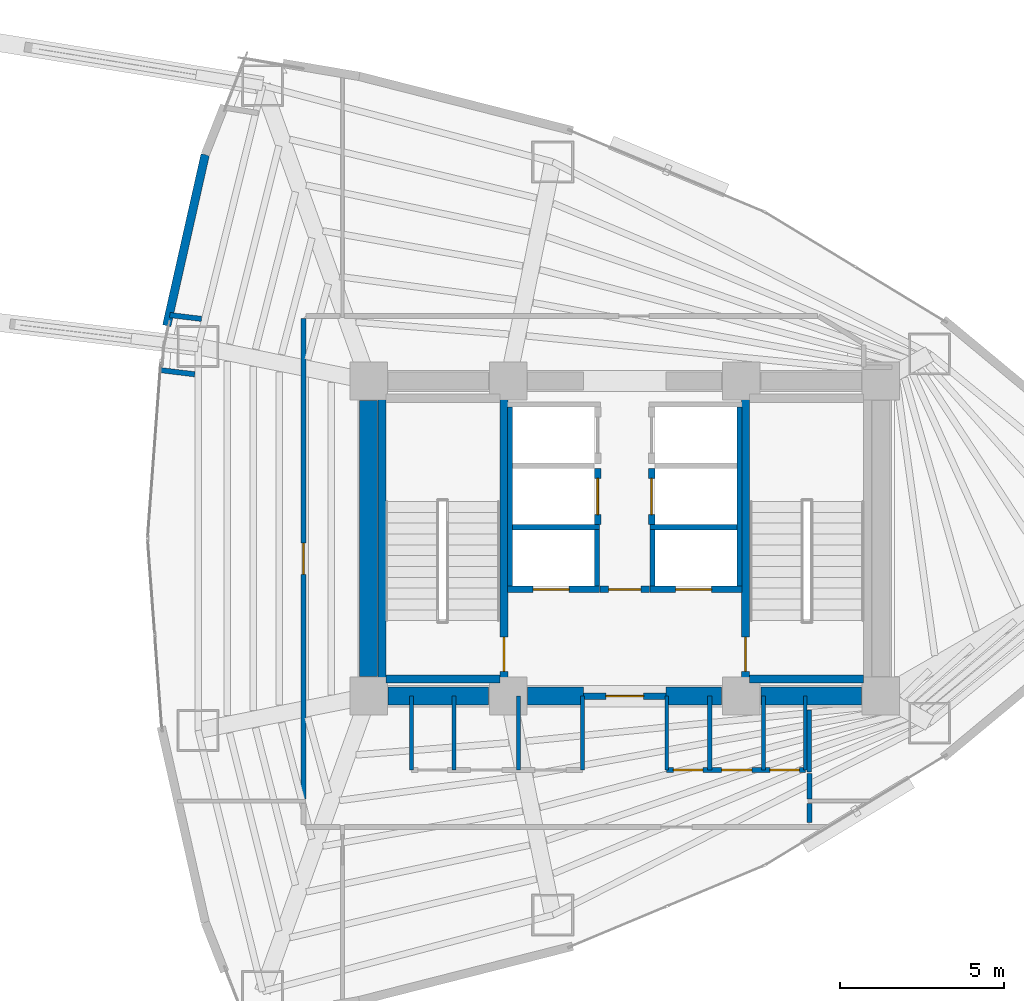
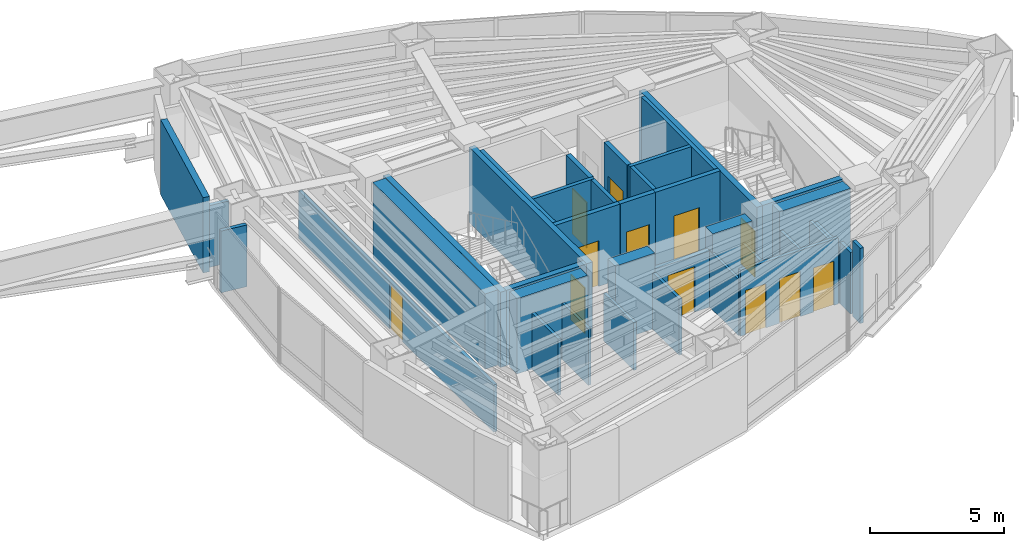
# One storey, part 13 of 17: 38 walls, 12 doors, 12 openings.
"""IFC4 building model written with IfcOpenShell, lengths in metres."""

from ifc_helpers import new_model, si_unit, direction, frame, frame_2d, origin, place, context, subcontext, project, spatial, rectangle, extrude, material, layer, layer_set, type_object, element, fill, save


model = new_model("IFC4")

# Units and contexts
model_context = context("Model", 3, precision=1e-05, world=origin(), true_north=direction((0.0, 1.0)))
body_context = subcontext(model_context, "Body", "Model", "MODEL_VIEW")
ifc_project = project(units=[si_unit("LENGTHUNIT", "METRE"), si_unit("AREAUNIT", "SQUARE_METRE"), si_unit("VOLUMEUNIT", "CUBIC_METRE"), si_unit("PLANEANGLEUNIT", "RADIAN"), si_unit("MASSUNIT", "GRAM", prefix="KILO")], contexts=[model_context])

# Site, building, storey
site_placement = place(None, origin())
site = spatial("IfcSite", under=ifc_project, at=site_placement, CompositionType="ELEMENT")
building_placement = place(site_placement, origin())
building = spatial("IfcBuilding", under=site, at=building_placement, Name="Menara Vayukalpa", CompositionType="ELEMENT")
storey_placement = place(building_placement, frame((0.0, 0.0, 100.260009765625)))
storey = spatial("IfcBuildingStorey", under=building, at=storey_placement, Name="L24", CompositionType="ELEMENT", Elevation=100.260009765625)

# Walls
ifc_material_1 = material(Name="Concrete C60/75", Category="concrete")
ifc_layer_1 = layer(ifc_material_1, 0.550048828125)
ifc_layer_set_1 = layer_set([ifc_layer_1], Name="Concrete C60/75")
wall_type_1 = type_object("IfcWallType", Name="WAL-CW550", PredefinedType="SHEAR", material=ifc_layer_set_1)
wall_1_placement = place(storey_placement, frame((18.39501953125, 17.199951171875, 0.0), z_axis=(0.0, 0.0, 1.0), x_axis=(1.0, 0.0, 0.0)))
element("IfcWall", 1, at=wall_1_placement, inside=storey, type_object=wall_type_1, Name="L24 Buttressed Core Shear Wall CWS1", PredefinedType="SHEAR", context=body_context, shape_type="SweptSolid", body=[
    extrude(rectangle(XDim=3.06005859375, YDim=0.550048828125, at=frame_2d((1.530029296875, 0.0))), origin(), (0.0, 0.0, 1.0), 3.43994140625),
])
wall_2_placement = place(storey_placement, frame((22.64501953125, 17.199951171875, 0.0), z_axis=(0.0, 0.0, 1.0), x_axis=(1.0, 0.0, 0.0)))
element("IfcWall", 2, at=wall_2_placement, inside=storey, type_object=wall_type_1, Name="L24 Buttressed Core Shear Wall CWS2", PredefinedType="SHEAR", context=body_context, shape_type="SweptSolid", body=[
    extrude(rectangle(XDim=1.705078125, YDim=0.550048828125, at=frame_2d((0.8525390625, 0.0))), origin(), (0.0, 0.0, 1.0), 3.43994140625),
])
wall_3_placement = place(storey_placement, frame((26.85009765625, 17.199951171875, 0.0), z_axis=(0.0, 0.0, 1.0), x_axis=(1.0, 0.0, 0.0)))
element("IfcWall", 3, at=wall_3_placement, inside=storey, type_object=wall_type_1, Name="L24 Buttressed Core Shear Wall CWS3", PredefinedType="SHEAR", context=body_context, shape_type="SweptSolid", body=[
    extrude(rectangle(XDim=1.704833984375, YDim=0.550048828125, at=frame_2d((0.8525390625, 0.0))), origin(), (0.0, 0.0, 1.0), 3.43994140625),
])
wall_4_placement = place(storey_placement, frame((29.7451171875, 17.199951171875, 0.0), z_axis=(0.0, 0.0, 1.0), x_axis=(1.0, 0.0, 0.0)))
element("IfcWall", 4, at=wall_4_placement, inside=storey, type_object=wall_type_1, Name="L24 Buttressed Core Shear Wall CWS4", PredefinedType="SHEAR", context=body_context, shape_type="SweptSolid", body=[
    extrude(rectangle(XDim=3.059814453125, YDim=0.550048828125, at=frame_2d((1.52978515625, 0.0))), origin(), (0.0, 0.0, 1.0), 3.43994140625),
])
wall_5_placement = place(storey_placement, frame((17.800048828125, 17.794921875, 0.0), z_axis=(0.0, 0.0, 1.0), x_axis=(0.0, 1.0, 0.0)))
element("IfcWall", 5, at=wall_5_placement, inside=storey, type_object=wall_type_1, Name="L24 Buttressed Core Shear Wall CWW1", PredefinedType="SHEAR", context=body_context, shape_type="SweptSolid", body=[
    extrude(rectangle(XDim=8.41015625, YDim=0.550048828125, at=frame_2d((4.205078125, 0.0))), origin(), (0.0, 0.0, 1.0), 3.43994140625),
])
ifc_material_2 = material(Name="Insulated Precast Concrete C40/50", Category="concrete")
ifc_layer_2 = layer(ifc_material_2, 0.260009765625)
ifc_layer_set_2 = layer_set([ifc_layer_2], Name="Insulated Precast Concrete C40/50")
wall_type_2 = type_object("IfcWallType", Name="WAL-EXT260", PredefinedType="PARTITIONING", material=ifc_layer_set_2)
wall_6_placement = place(storey_placement, frame((11.650390625, 28.4853515625, 0.0), z_axis=(0.0, 0.0, 1.0), x_axis=(0.219560096192, 0.975598977121, 0.0)))
element("IfcWall", 6, at=wall_6_placement, inside=storey, type_object=wall_type_2, Name="L24 Perimeter Terracotta Pier Wall 09", PredefinedType="PARTITIONING", context=body_context, shape_type="SweptSolid", body=[
    extrude(rectangle(XDim=5.336181640625, YDim=0.260009765625, at=frame_2d((2.66796875, 0.0))), origin(), (0.0, 0.0, 1.0), 3.43994140625),
])
ifc_material_3 = material(Name="Lightweight Concrete Blockwork C16/20", Category="masonry")
ifc_layer_3 = layer(ifc_material_3, 0.159912109375)
ifc_layer_set_3 = layer_set([ifc_layer_3], Name="Lightweight Concrete Blockwork C16/20")
wall_type_3 = type_object("IfcWallType", Name="WAL-FR150", PredefinedType="PARTITIONING", material=ifc_layer_set_3)
wall_7_placement = place(storey_placement, frame((22.10498046875, 20.56005859375, 0.0), z_axis=(0.0, 0.0, 1.0), x_axis=(0.0, 1.0, 0.0)))
element("IfcWall", 7, at=wall_7_placement, inside=storey, type_object=wall_type_3, Name="L24 Interior Partition IW-L24-SHW-WW", PredefinedType="PARTITIONING", context=body_context, shape_type="SweptSolid", body=[
    extrude(rectangle(XDim=5.449951171875, YDim=0.159912109375, at=frame_2d((2.72509765625, 0.0))), origin(), (0.0, 0.0, 1.0), 3.43994140625),
])
wall_8_placement = place(storey_placement, frame((24.7548828125, 20.56005859375, 0.0), z_axis=(0.0, 0.0, 1.0), x_axis=(0.0, 1.0, 0.0)))
element("IfcWall", 8, at=wall_8_placement, inside=storey, type_object=wall_type_3, Name="L24 Interior Partition IW-L24-SHW-W1E", PredefinedType="PARTITIONING", context=body_context, shape_type="SweptSolid", body=[
    extrude(rectangle(XDim=1.7099609375, YDim=0.159912109375, at=frame_2d((0.85498046875, 0.0))), origin(), (0.0, 0.0, 1.0), 3.43994140625),
])
wall_9_placement = place(storey_placement, frame((22.179931640625, 22.344970703125, 0.0), z_axis=(0.0, 0.0, 1.0), x_axis=(1.0, 0.0, 0.0)))
element("IfcWall", 9, at=wall_9_placement, inside=storey, type_object=wall_type_3, Name="L24 Interior Partition IW-L24-SHM-W12", PredefinedType="PARTITIONING", context=body_context, shape_type="SweptSolid", body=[
    extrude(rectangle(XDim=2.650146484375, YDim=0.159912109375, at=frame_2d((1.3251953125, 0.0))), origin(), (0.0, 0.0, 1.0), 3.43994140625),
])
wall_10_placement = place(storey_placement, frame((29.094970703125, 20.56005859375, 0.0), z_axis=(0.0, 0.0, 1.0), x_axis=(0.0, 1.0, 0.0)))
element("IfcWall", 10, at=wall_10_placement, inside=storey, type_object=wall_type_3, Name="L24 Interior Partition IW-L24-SHW-EE", PredefinedType="PARTITIONING", context=body_context, shape_type="SweptSolid", body=[
    extrude(rectangle(XDim=5.449951171875, YDim=0.159912109375, at=frame_2d((2.72509765625, 0.0))), origin(), (0.0, 0.0, 1.0), 3.43994140625),
])
wall_11_placement = place(storey_placement, frame((26.445068359375, 20.56005859375, 0.0), z_axis=(0.0, 0.0, 1.0), x_axis=(0.0, 1.0, 0.0)))
element("IfcWall", 11, at=wall_11_placement, inside=storey, type_object=wall_type_3, Name="L24 Interior Partition IW-L24-SHW-E1W", PredefinedType="PARTITIONING", context=body_context, shape_type="SweptSolid", body=[
    extrude(rectangle(XDim=1.7099609375, YDim=0.159912109375, at=frame_2d((0.85498046875, 0.0))), origin(), (0.0, 0.0, 1.0), 3.43994140625),
])
wall_12_placement = place(storey_placement, frame((26.3701171875, 22.344970703125, 0.0), z_axis=(0.0, 0.0, 1.0), x_axis=(1.0, 0.0, 0.0)))
element("IfcWall", 12, at=wall_12_placement, inside=storey, type_object=wall_type_3, Name="L24 Interior Partition IW-L24-SHM-E13", PredefinedType="PARTITIONING", context=body_context, shape_type="SweptSolid", body=[
    extrude(rectangle(XDim=2.64990234375, YDim=0.159912109375, at=frame_2d((1.324951171875, 0.0))), origin(), (0.0, 0.0, 1.0), 3.43994140625),
])
wall_13_placement = place(storey_placement, frame((11.47265625, 27.126953125, 0.0), z_axis=(0.0, 0.0, 1.0), x_axis=(0.992740583346, -0.120275243415, 0.0)))
element("IfcWall", 13, at=wall_13_placement, inside=storey, type_object=wall_type_3, Name="L24 Interior Partition IW-L24-OCHK05-3", PredefinedType="PARTITIONING", context=body_context, shape_type="SweptSolid", body=[
    extrude(rectangle(XDim=1.039306640625, YDim=0.159912109375, at=frame_2d((0.51953125, 0.0))), origin(), (0.0, 0.0, 1.0), 2.820068359375),
])
wall_14_placement = place(storey_placement, frame((12.708984375, 28.689453125, 0.0), z_axis=(0.0, 0.0, 1.0), x_axis=(-0.992745589498, 0.120233915896, 0.0)))
element("IfcWall", 14, at=wall_14_placement, inside=storey, type_object=wall_type_3, Name="L24 Interior Partition IW-L24-OCHK05-68", PredefinedType="PARTITIONING", context=body_context, shape_type="SweptSolid", body=[
    extrude(rectangle(XDim=0.97265625, YDim=0.159912109375, at=frame_2d((0.486328125, 0.0))), origin(), (0.0, 0.0, 1.0), 2.820068359375),
])

# Wall, opening, door
ifc_material_4 = material(Name="Lightweight Concrete Blockwork C16/20", Category="masonry")
ifc_layer_4 = layer(ifc_material_4, 0.199951171875)
ifc_layer_set_4 = layer_set([ifc_layer_4], Name="Lightweight Concrete Blockwork C16/20")
wall_type_4 = type_object("IfcWallType", Name="WAL-FR200", PredefinedType="PARTITIONING", material=ifc_layer_set_4)
wall_15_placement = place(storey_placement, frame((24.35009765625, 17.199951171875, 0.0), z_axis=(0.0, 0.0, 1.0), x_axis=(1.0, 0.0, 0.0)))
wall_15 = element("IfcWall", 15, at=wall_15_placement, inside=storey, type_object=wall_type_4, Name="L24 Interior Partition IW-L24-FFLS", PredefinedType="PARTITIONING", context=body_context, shape_type="SweptSolid", body=[
    extrude(rectangle(XDim=2.5, YDim=0.199951171875, at=frame_2d((1.25, 0.0))), origin(), (0.0, 0.0, 1.0), 2.570068359375),
])
opening_1_placement = place(wall_15_placement, frame((0.679931640625, 0.0, 0.0)))
opening_1 = element("IfcOpeningElement", 16, at=opening_1_placement, cuts=wall_15, Name="Opening ID2", PredefinedType="OPENING", context=body_context, shape_type="SweptSolid", body=[
    extrude(rectangle(XDim=1.14990234375, YDim=2.080078125, at=frame_2d((0.574951171875, 1.0400390625))), frame((0.0, 0.10986328125, 0.0), z_axis=(0.0, -1.0, 0.0), x_axis=(1.0, 0.0, 0.0)), (0.0, 0.0, 1.0), 0.219970703125),
])
ifc_material_5 = material(Name="Fire-Rated Powder-Coated Steel Door", Category="steel")
door_type_1 = type_object("IfcDoorType", Name="DR-FD60W", OperationType="NOTDEFINED", PredefinedType="DOOR", material=ifc_material_5)
door_1_placement = place(opening_1_placement, origin())
door_1 = element("IfcDoor", 17, at=door_1_placement, inside=storey, type_object=door_type_1, Name="L24 Interior Door DR-L24-FFLS", OperationType="SINGLE_SWING_RIGHT", OverallHeight=2.080078125, OverallWidth=1.14990234375, PredefinedType="DOOR", context=body_context, shape_type="SweptSolid", body=[
    extrude(rectangle(XDim=1.14990234375, YDim=2.080078125, at=frame_2d((0.574951171875, 1.0400390625))), frame((0.0, 0.02490234375, 0.0), z_axis=(0.0, -1.0, 0.0), x_axis=(1.0, 0.0, 0.0)), (0.0, 0.0, 1.0), 0.050048828125),
])
fill(opening_1, door_1)

wall_16_placement = place(storey_placement, frame((24.840087890625, 20.449951171875, 0.0), z_axis=(0.0, 0.0, 1.0), x_axis=(1.0, 0.0, 0.0)))
wall_16 = element("IfcWall", 18, at=wall_16_placement, inside=storey, type_object=wall_type_4, Name="L24 Interior Partition IW-L24-FFLN", PredefinedType="PARTITIONING", context=body_context, shape_type="SweptSolid", body=[
    extrude(rectangle(XDim=1.52001953125, YDim=0.199951171875, at=frame_2d((0.760009765625, 0.0))), origin(), (0.0, 0.0, 1.0), 3.43994140625),
])
opening_2_placement = place(wall_16_placement, frame((0.27001953125, 0.0, 0.0)))
opening_2 = element("IfcOpeningElement", 19, at=opening_2_placement, cuts=wall_16, Name="Opening ID3", PredefinedType="OPENING", context=body_context, shape_type="SweptSolid", body=[
    extrude(rectangle(XDim=0.97998046875, YDim=2.06005859375, at=frame_2d((0.489990234375, 1.030029296875))), frame((0.0, 0.10986328125, 0.0), z_axis=(0.0, -1.0, 0.0), x_axis=(1.0, 0.0, 0.0)), (0.0, 0.0, 1.0), 0.219970703125),
])
ifc_material_6 = material(Name="Fire-Rated Powder-Coated Steel Door", Category="steel")
door_type_2 = type_object("IfcDoorType", Name="DR-FD60", OperationType="NOTDEFINED", PredefinedType="DOOR", material=ifc_material_6)
door_2_placement = place(opening_2_placement, origin())
door_2 = element("IfcDoor", 20, at=door_2_placement, inside=storey, type_object=door_type_2, Name="L24 Interior Door DR-L24-FFLN", OperationType="SINGLE_SWING_LEFT", OverallHeight=2.06005859375, OverallWidth=0.97998046875, PredefinedType="DOOR", context=body_context, shape_type="SweptSolid", body=[
    extrude(rectangle(XDim=0.97998046875, YDim=2.06005859375, at=frame_2d((0.489990234375, 1.030029296875))), frame((0.0, 0.02490234375, 0.0), z_axis=(0.0, -1.0, 0.0), x_axis=(1.0, 0.0, 0.0)), (0.0, 0.0, 1.0), 0.050048828125),
])
fill(opening_2, door_2)

wall_17_placement = place(storey_placement, frame((22.030029296875, 20.449951171875, 0.0), z_axis=(0.0, 0.0, 1.0), x_axis=(1.0, 0.0, 0.0)))
wall_17 = element("IfcWall", 21, at=wall_17_placement, inside=storey, type_object=wall_type_4, Name="L24 Interior Partition IW-L24-SH-W1", PredefinedType="PARTITIONING", context=body_context, shape_type="SweptSolid", body=[
    extrude(rectangle(XDim=2.800048828125, YDim=0.199951171875, at=frame_2d((1.39990234375, 0.0))), origin(), (0.0, 0.0, 1.0), 3.43994140625),
])
opening_3_placement = place(wall_17_placement, frame((0.780029296875, 0.0, 0.0)))
opening_3 = element("IfcOpeningElement", 22, at=opening_3_placement, cuts=wall_17, Name="Opening LD1", PredefinedType="OPENING", context=body_context, shape_type="SweptSolid", body=[
    extrude(rectangle(XDim=1.10009765625, YDim=2.080078125, at=frame_2d((0.550048828125, 1.0400390625))), frame((0.0, 0.10986328125, 0.0), z_axis=(0.0, -1.0, 0.0), x_axis=(1.0, 0.0, 0.0)), (0.0, 0.0, 1.0), 0.219970703125),
])
ifc_material_7 = material(Name="Brushed Stainless Steel 316 Lift Door", Category="steel")
door_type_3 = type_object("IfcDoorType", Name="DR-LD110", OperationType="NOTDEFINED", PredefinedType="DOOR", material=ifc_material_7)
door_3_placement = place(opening_3_placement, origin())
door_3 = element("IfcDoor", 23, at=door_3_placement, inside=storey, type_object=door_type_3, Name="L24 Interior Door DR-L24-LD-W1", OperationType="DOUBLE_DOOR_SLIDING", OverallHeight=2.080078125, OverallWidth=1.10009765625, PredefinedType="DOOR", context=body_context, shape_type="SweptSolid", body=[
    extrude(rectangle(XDim=1.10009765625, YDim=2.080078125, at=frame_2d((0.550048828125, 1.0400390625))), frame((0.0, 0.02490234375, 0.0), z_axis=(0.0, -1.0, 0.0), x_axis=(1.0, 0.0, 0.0)), (0.0, 0.0, 1.0), 0.050048828125),
])
fill(opening_3, door_3)

wall_18_placement = place(storey_placement, frame((26.3701171875, 20.449951171875, 0.0), z_axis=(0.0, 0.0, 1.0), x_axis=(1.0, 0.0, 0.0)))
wall_18 = element("IfcWall", 24, at=wall_18_placement, inside=storey, type_object=wall_type_4, Name="L24 Interior Partition IW-L24-SH-E1", PredefinedType="PARTITIONING", context=body_context, shape_type="SweptSolid", body=[
    extrude(rectangle(XDim=2.7998046875, YDim=0.199951171875, at=frame_2d((1.39990234375, 0.0))), origin(), (0.0, 0.0, 1.0), 3.43994140625),
])
opening_4_placement = place(wall_18_placement, frame((0.780029296875, 0.0, 0.0)))
opening_4 = element("IfcOpeningElement", 25, at=opening_4_placement, cuts=wall_18, Name="Opening LD1", PredefinedType="OPENING", context=body_context, shape_type="SweptSolid", body=[
    extrude(rectangle(XDim=1.10009765625, YDim=2.080078125, at=frame_2d((0.550048828125, 1.0400390625))), frame((0.0, 0.10986328125, 0.0), z_axis=(0.0, -1.0, 0.0), x_axis=(1.0, 0.0, 0.0)), (0.0, 0.0, 1.0), 0.219970703125),
])
door_4_placement = place(opening_4_placement, origin())
door_4 = element("IfcDoor", 26, at=door_4_placement, inside=storey, type_object=door_type_3, Name="L24 Interior Door DR-L24-LD-E1", OperationType="DOUBLE_DOOR_SLIDING", OverallHeight=2.080078125, OverallWidth=1.10009765625, PredefinedType="DOOR", context=body_context, shape_type="SweptSolid", body=[
    extrude(rectangle(XDim=1.10009765625, YDim=2.080078125, at=frame_2d((0.550048828125, 1.0400390625))), frame((0.0, 0.02490234375, 0.0), z_axis=(0.0, -1.0, 0.0), x_axis=(1.0, 0.0, 0.0)), (0.0, 0.0, 1.0), 0.050048828125),
])
fill(opening_4, door_4)

wall_19_placement = place(storey_placement, frame((24.780029296875, 22.419921875, 0.0), z_axis=(0.0, 0.0, 1.0), x_axis=(0.0, 1.0, 0.0)))
wall_19 = element("IfcWall", 27, at=wall_19_placement, inside=storey, type_object=wall_type_4, Name="L24 Interior Partition IW-L24-SH-W2", PredefinedType="PARTITIONING", context=body_context, shape_type="SweptSolid", body=[
    extrude(rectangle(XDim=1.719970703125, YDim=0.199951171875, at=frame_2d((0.85986328125, 0.0))), origin(), (0.0, 0.0, 1.0), 3.43994140625),
])
opening_5_placement = place(wall_19_placement, frame((0.31005859375, 0.0, 0.0)))
opening_5 = element("IfcOpeningElement", 28, at=opening_5_placement, cuts=wall_19, Name="Opening LD1", PredefinedType="OPENING", context=body_context, shape_type="SweptSolid", body=[
    extrude(rectangle(XDim=1.10009765625, YDim=2.080078125, at=frame_2d((0.550048828125, 1.0400390625))), frame((0.0, 0.10986328125, 0.0), z_axis=(0.0, -1.0, 0.0), x_axis=(1.0, 0.0, 0.0)), (0.0, 0.0, 1.0), 0.219970703125),
])
door_5_placement = place(opening_5_placement, origin())
door_5 = element("IfcDoor", 29, at=door_5_placement, inside=storey, type_object=door_type_3, Name="L24 Interior Door DR-L24-LD-W2", OperationType="DOUBLE_DOOR_SLIDING", OverallHeight=2.080078125, OverallWidth=1.10009765625, PredefinedType="DOOR", context=body_context, shape_type="SweptSolid", body=[
    extrude(rectangle(XDim=1.10009765625, YDim=2.080078125, at=frame_2d((0.550048828125, 1.0400390625))), frame((0.0, 0.02490234375, 0.0), z_axis=(0.0, -1.0, 0.0), x_axis=(1.0, 0.0, 0.0)), (0.0, 0.0, 1.0), 0.050048828125),
])
fill(opening_5, door_5)

wall_20_placement = place(storey_placement, frame((26.419921875, 22.419921875, 0.0), z_axis=(0.0, 0.0, 1.0), x_axis=(0.0, 1.0, 0.0)))
wall_20 = element("IfcWall", 30, at=wall_20_placement, inside=storey, type_object=wall_type_4, Name="L24 Interior Partition IW-L24-SH-E3", PredefinedType="PARTITIONING", context=body_context, shape_type="SweptSolid", body=[
    extrude(rectangle(XDim=1.719970703125, YDim=0.199951171875, at=frame_2d((0.85986328125, 0.0))), origin(), (0.0, 0.0, 1.0), 3.43994140625),
])
opening_6_placement = place(wall_20_placement, frame((0.31005859375, 0.0, 0.0)))
opening_6 = element("IfcOpeningElement", 31, at=opening_6_placement, cuts=wall_20, Name="Opening LD1", PredefinedType="OPENING", context=body_context, shape_type="SweptSolid", body=[
    extrude(rectangle(XDim=1.10009765625, YDim=2.080078125, at=frame_2d((0.550048828125, 1.0400390625))), frame((0.0, 0.10986328125, 0.0), z_axis=(0.0, -1.0, 0.0), x_axis=(1.0, 0.0, 0.0)), (0.0, 0.0, 1.0), 0.219970703125),
])
door_6_placement = place(opening_6_placement, origin())
door_6 = element("IfcDoor", 32, at=door_6_placement, inside=storey, type_object=door_type_3, Name="L24 Interior Door DR-L24-LD-E3", OperationType="DOUBLE_DOOR_SLIDING", OverallHeight=2.080078125, OverallWidth=1.10009765625, PredefinedType="DOOR", context=body_context, shape_type="SweptSolid", body=[
    extrude(rectangle(XDim=1.10009765625, YDim=2.080078125, at=frame_2d((0.550048828125, 1.0400390625))), frame((0.0, 0.02490234375, 0.0), z_axis=(0.0, -1.0, 0.0), x_axis=(1.0, 0.0, 0.0)), (0.0, 0.0, 1.0), 0.050048828125),
])
fill(opening_6, door_6)

# Walls
ifc_material_8 = material(Name="Acoustic Mineral Stud Partition", Category="masonry")
ifc_layer_5 = layer(ifc_material_8, 0.110107421875)
ifc_layer_set_5 = layer_set([ifc_layer_5], Name="Acoustic Mineral Stud Partition")
wall_type_5 = type_object("IfcWallType", Name="WAL-PT110", PredefinedType="PARTITIONING", material=ifc_layer_set_5)
for number, where, z_axis, x_axis, name in (
    (33, (20.39990234375, 14.949951171875, 0.0), (0.0, 0.0, 1.0), (0.0, 1.0, 0.0), "L24 Interior Partition IW-L24-SVCD-02"),
    (34, (26.8798828125, 14.949951171875, 0.0), (0.0, 0.0, 1.0), (0.0, 1.0, 0.0), "L24 Interior Partition IW-L24-SVCD-05"),
    (35, (31.10009765625, 14.949951171875, 0.0), (0.0, 0.0, 1.0), (0.0, 1.0, 0.0), "L24 Interior Partition IW-L24-SVCD-08"),
):
    element("IfcWall", number, at=place(storey_placement, frame(where, z_axis=z_axis, x_axis=x_axis)), inside=storey, type_object=wall_type_5, Name=name, PredefinedType="PARTITIONING", context=body_context, shape_type="SweptSolid", body=[
        extrude(rectangle(XDim=2.25, YDim=0.110107421875, at=frame_2d((1.125, 0.0))), origin(), (0.0, 0.0, 1.0), 2.570068359375),
    ])
ifc_material_9 = material(Name="Gypsum Drywall Steel Stud Assembly", Category="steel")
ifc_layer_6 = layer(ifc_material_9, 0.125)
ifc_layer_set_6 = layer_set([ifc_layer_6], Name="Gypsum Drywall Steel Stud Assembly")
wall_type_6 = type_object("IfcWallType", Name="WAL-PT125", PredefinedType="PARTITIONING", material=ifc_layer_set_6)
wall_21_placement = place(storey_placement, frame((19.10009765625, 14.949951171875, 0.0), z_axis=(0.0, 0.0, 1.0), x_axis=(0.0, 1.0, 0.0)))
element("IfcWall", 36, at=wall_21_placement, inside=storey, type_object=wall_type_6, Name="L24 Interior Partition IW-L24-SVCD-01", PredefinedType="PARTITIONING", context=body_context, shape_type="SweptSolid", body=[
    extrude(rectangle(XDim=2.25, YDim=0.125, at=frame_2d((1.125, 0.0))), origin(), (0.0, 0.0, 1.0), 2.570068359375),
])
wall_22_placement = place(storey_placement, frame((22.360107421875, 14.949951171875, 0.0), z_axis=(0.0, 0.0, 1.0), x_axis=(0.0, 1.0, 0.0)))
element("IfcWall", 37, at=wall_22_placement, inside=storey, type_object=wall_type_6, Name="L24 Interior Partition IW-L24-SVCD-03", PredefinedType="PARTITIONING", context=body_context, shape_type="SweptSolid", body=[
    extrude(rectangle(XDim=2.25, YDim=0.125, at=frame_2d((1.125, 0.0))), origin(), (0.0, 0.0, 1.0), 2.169921875),
])
for number, where, z_axis, x_axis, name in (
    (38, (24.320068359375, 14.949951171875, 0.0), (0.0, 0.0, 1.0), (0.0, 1.0, 0.0), "L24 Interior Partition IW-L24-SVCD-04"),
    (39, (28.18994140625, 14.949951171875, 0.0), (0.0, 0.0, 1.0), (0.0, 1.0, 0.0), "L24 Interior Partition IW-L24-SVCD-06"),
    (40, (29.830078125, 14.949951171875, 0.0), (0.0, 0.0, 1.0), (0.0, 1.0, 0.0), "L24 Interior Partition IW-L24-SVCD-07"),
):
    element("IfcWall", number, at=place(storey_placement, frame(where, z_axis=z_axis, x_axis=x_axis)), inside=storey, type_object=wall_type_6, Name=name, PredefinedType="PARTITIONING", context=body_context, shape_type="SweptSolid", body=[
        extrude(rectangle(XDim=2.25, YDim=0.125, at=frame_2d((1.125, 0.0))), origin(), (0.0, 0.0, 1.0), 2.570068359375),
    ])

# Wall, openings, doors
ifc_material_10 = material(Name="Gypsum Drywall Acoustic Stud Assembly", Category="masonry")
ifc_layer_7 = layer(ifc_material_10, 0.14501953125)
ifc_layer_set_7 = layer_set([ifc_layer_7], Name="Gypsum Drywall Acoustic Stud Assembly")
wall_type_7 = type_object("IfcWallType", Name="WAL-PT150", PredefinedType="PARTITIONING", material=ifc_layer_set_7)
wall_23_placement = place(storey_placement, frame((26.8798828125, 14.949951171875, 0.0), z_axis=(0.0, 0.0, 1.0), x_axis=(1.0, 0.0, 0.0)))
wall_23 = element("IfcWall", 41, at=wall_23_placement, inside=storey, type_object=wall_type_7, Name="L24 Interior Partition IW-L24-SVCS-E", PredefinedType="PARTITIONING", context=body_context, shape_type="SweptSolid", body=[
    extrude(rectangle(XDim=4.22021484375, YDim=0.14501953125, at=frame_2d((2.110107421875, 0.0))), origin(), (0.0, 0.0, 1.0), 3.02001953125),
])
opening_7_placement = place(wall_23_placement, frame((0.199951171875, 0.0, 0.0)))
opening_7 = element("IfcOpeningElement", 42, at=opening_7_placement, cuts=wall_23, Name="Opening ID7", PredefinedType="OPENING", context=body_context, shape_type="SweptSolid", body=[
    extrude(rectangle(XDim=0.89990234375, YDim=2.02001953125, at=frame_2d((0.449951171875, 1.010009765625))), frame((0.0, 0.08251953125, 0.0), z_axis=(0.0, -1.0, 0.0), x_axis=(1.0, 0.0, 0.0)), (0.0, 0.0, 1.0), 0.1650390625),
])
opening_8_placement = place(wall_23_placement, frame((1.669921875, 0.0, 0.0)))
opening_8 = element("IfcOpeningElement", 43, at=opening_8_placement, cuts=wall_23, Name="Opening ID6", PredefinedType="OPENING", context=body_context, shape_type="SweptSolid", body=[
    extrude(rectangle(XDim=0.919921875, YDim=2.050048828125, at=frame_2d((0.4599609375, 1.02490234375))), frame((0.0, 0.08251953125, 0.0), z_axis=(0.0, -1.0, 0.0), x_axis=(1.0, 0.0, 0.0)), (0.0, 0.0, 1.0), 0.1650390625),
])
opening_9_placement = place(wall_23_placement, frame((3.139892578125, 0.0, 0.0)))
opening_9 = element("IfcOpeningElement", 44, at=opening_9_placement, cuts=wall_23, Name="Opening ID7", PredefinedType="OPENING", context=body_context, shape_type="SweptSolid", body=[
    extrude(rectangle(XDim=0.89990234375, YDim=2.02001953125, at=frame_2d((0.449951171875, 1.010009765625))), frame((0.0, 0.08251953125, 0.0), z_axis=(0.0, -1.0, 0.0), x_axis=(1.0, 0.0, 0.0)), (0.0, 0.0, 1.0), 0.1650390625),
])
ifc_material_11 = material(Name="Acoustic Hardwood Veneer Timber Door", Category="wood")
door_type_4 = type_object("IfcDoorType", Name="DR-INT92", OperationType="NOTDEFINED", PredefinedType="DOOR", material=ifc_material_11)
door_7_placement = place(opening_8_placement, origin())
door_7 = element("IfcDoor", 45, at=door_7_placement, inside=storey, type_object=door_type_4, Name="L24 Interior Door DR-L24-KSV2", OperationType="SINGLE_SWING_RIGHT", OverallHeight=2.050048828125, OverallWidth=0.919921875, PredefinedType="DOOR", context=body_context, shape_type="SweptSolid", body=[
    extrude(rectangle(XDim=0.919921875, YDim=2.050048828125, at=frame_2d((0.4599609375, 1.02490234375))), frame((0.0, 0.02490234375, 0.0), z_axis=(0.0, -1.0, 0.0), x_axis=(1.0, 0.0, 0.0)), (0.0, 0.0, 1.0), 0.050048828125),
])
fill(opening_8, door_7)
ifc_material_12 = material(Name="Powder-Coated Steel Riser Access Door", Category="steel")
door_type_5 = type_object("IfcDoorType", Name="DR-RISER", OperationType="NOTDEFINED", PredefinedType="DOOR", material=ifc_material_12)
door_8_placement = place(opening_7_placement, origin())
door_8 = element("IfcDoor", 46, at=door_8_placement, inside=storey, type_object=door_type_5, Name="L24 Interior Door DR-L24-KSV1", OperationType="SINGLE_SWING_LEFT", OverallHeight=2.02001953125, OverallWidth=0.89990234375, PredefinedType="DOOR", context=body_context, shape_type="SweptSolid", body=[
    extrude(rectangle(XDim=0.89990234375, YDim=2.02001953125, at=frame_2d((0.449951171875, 1.010009765625))), frame((0.0, 0.02490234375, 0.0), z_axis=(0.0, -1.0, 0.0), x_axis=(1.0, 0.0, 0.0)), (0.0, 0.0, 1.0), 0.050048828125),
])
fill(opening_7, door_8)
door_9_placement = place(opening_9_placement, origin())
door_9 = element("IfcDoor", 47, at=door_9_placement, inside=storey, type_object=door_type_5, Name="L24 Interior Door DR-L24-SMD", OperationType="SINGLE_SWING_LEFT", OverallHeight=2.02001953125, OverallWidth=0.89990234375, PredefinedType="DOOR", context=body_context, shape_type="SweptSolid", body=[
    extrude(rectangle(XDim=0.89990234375, YDim=2.02001953125, at=frame_2d((0.449951171875, 1.010009765625))), frame((0.0, 0.02490234375, 0.0), z_axis=(0.0, -1.0, 0.0), x_axis=(1.0, 0.0, 0.0)), (0.0, 0.0, 1.0), 0.050048828125),
])
fill(opening_9, door_9)

# Walls
wall_24_placement = place(storey_placement, frame((31.22998046875, 13.351318359375, 0.0), z_axis=(0.0, 0.0, 1.0), x_axis=(0.0, 1.0, 0.0)))
element("IfcWall", 48, at=wall_24_placement, inside=storey, type_object=wall_type_7, Name="L24 Interior Partition IW-L24-CRM03-2", PredefinedType="PARTITIONING", context=body_context, shape_type="SweptSolid", body=[
    extrude(rectangle(XDim=0.57861328125, YDim=0.14501953125, at=frame_2d((0.289306640625, 0.0))), origin(), (0.0, 0.0, 1.0), 3.43994140625),
])
wall_25_placement = place(storey_placement, frame((31.22998046875, 14.070068359375, 0.0), z_axis=(0.0, 0.0, 1.0), x_axis=(0.0, 1.0, 0.0)))
element("IfcWall", 49, at=wall_25_placement, inside=storey, type_object=wall_type_7, Name="L24 Interior Partition IW-L24-CRM04-1", PredefinedType="PARTITIONING", context=body_context, shape_type="SweptSolid", body=[
    extrude(rectangle(XDim=0.780029296875, YDim=0.14501953125, at=frame_2d((0.39013671875, 0.0))), origin(), (0.0, 0.0, 1.0), 2.820068359375),
])
wall_26_placement = place(storey_placement, frame((31.219970703125, 14.888671875, 0.0), z_axis=(0.0, 0.0, 1.0), x_axis=(0.0, 1.0, 0.0)))
element("IfcWall", 50, at=wall_26_placement, inside=storey, type_object=wall_type_7, Name="L24 Interior Partition IW-L24-CRM04-2", PredefinedType="PARTITIONING", context=body_context, shape_type="SweptSolid", body=[
    extrude(rectangle(XDim=1.891357421875, YDim=0.14501953125, at=frame_2d((0.94580078125, 0.0))), origin(), (0.0, 0.0, 1.0), 2.570068359375),
])

# Wall, opening, door
wall_27_placement = place(storey_placement, frame((15.820068359375, 28.699951171875, 0.0), z_axis=(0.0, 0.0, 1.0), x_axis=(0.0, -1.0, 0.0)))
wall_27 = element("IfcWall", 51, at=wall_27_placement, inside=storey, type_object=wall_type_7, Name="L24 Interior Partition IW-L24-CRM05-2", PredefinedType="PARTITIONING", context=body_context, shape_type="SweptSolid", body=[
    extrude(rectangle(XDim=14.6298828125, YDim=0.14501953125, at=frame_2d((7.31494140625, 0.0))), origin(), (0.0, 0.0, 1.0), 2.169921875),
])
opening_10_placement = place(wall_27_placement, frame((6.840087890625, 0.0, 0.0)))
opening_10 = element("IfcOpeningElement", 52, at=opening_10_placement, cuts=wall_27, Name="Opening ID5", PredefinedType="OPENING", context=body_context, shape_type="SweptSolid", body=[
    extrude(rectangle(XDim=0.949951171875, YDim=2.06005859375, at=frame_2d((0.47509765625, 1.030029296875))), frame((0.0, 0.08251953125, 0.0), z_axis=(0.0, -1.0, 0.0), x_axis=(1.0, 0.0, 0.0)), (0.0, 0.0, 1.0), 0.1650390625),
])
ifc_material_13 = material(Name="Acoustic Hardwood Veneer Timber Door", Category="wood")
door_type_6 = type_object("IfcDoorType", Name="DR-INT95", OperationType="NOTDEFINED", PredefinedType="DOOR", material=ifc_material_13)
door_10_placement = place(opening_10_placement, origin())
door_10 = element("IfcDoor", 53, at=door_10_placement, inside=storey, type_object=door_type_6, Name="L24 Interior Door DR-L24-RM05", OperationType="SINGLE_SWING_RIGHT", OverallHeight=2.06005859375, OverallWidth=0.949951171875, PredefinedType="DOOR", context=body_context, shape_type="SweptSolid", body=[
    extrude(rectangle(XDim=0.949951171875, YDim=2.06005859375, at=frame_2d((0.47509765625, 1.030029296875))), frame((0.0, 0.02490234375, 0.0), z_axis=(0.0, -1.0, 0.0), x_axis=(1.0, 0.0, 0.0)), (0.0, 0.0, 1.0), 0.050048828125),
])
fill(opening_10, door_10)

# Wall
ifc_material_14 = material(Name="Concrete C50/60", Category="concrete")
ifc_layer_8 = layer(ifc_material_14, 0.25)
ifc_layer_set_8 = layer_set([ifc_layer_8], Name="Concrete C50/60")
wall_type_8 = type_object("IfcWallType", Name="WAL-SW250", PredefinedType="SHEAR", material=ifc_layer_set_8)
wall_28_placement = place(storey_placement, frame((18.2041015625, 17.60009765625, 0.0), z_axis=(0.0, 0.0, 1.0), x_axis=(0.0, 1.0, 0.0)))
element("IfcWall", 54, at=wall_28_placement, inside=storey, type_object=wall_type_8, Name="L24 ST1 Structural Stair Shaft Wall W", PredefinedType="SHEAR", context=body_context, shape_type="SweptSolid", body=[
    extrude(rectangle(XDim=8.7998046875, YDim=0.25, at=frame_2d((4.39990234375, 0.0))), origin(), (0.0, 0.0, 1.0), 3.43994140625),
])

# Wall, opening, door
wall_29_placement = place(storey_placement, frame((21.925048828125, 17.60009765625, 0.0), z_axis=(0.0, 0.0, 1.0), x_axis=(0.0, 1.0, 0.0)))
wall_29 = element("IfcWall", 55, at=wall_29_placement, inside=storey, type_object=wall_type_8, Name="L24 ST1 Structural Stair Shaft Wall E", PredefinedType="SHEAR", context=body_context, shape_type="SweptSolid", body=[
    extrude(rectangle(XDim=8.7998046875, YDim=0.25, at=frame_2d((4.39990234375, 0.0))), origin(), (0.0, 0.0, 1.0), 3.43994140625),
])
opening_11_placement = place(wall_29_placement, frame((0.35009765625, 0.0, 0.0)))
opening_11 = element("IfcOpeningElement", 56, at=opening_11_placement, cuts=wall_29, Name="Opening ID1", PredefinedType="OPENING", context=body_context, shape_type="SweptSolid", body=[
    extrude(rectangle(XDim=1.050048828125, YDim=2.080078125, at=frame_2d((0.52490234375, 1.0400390625))), frame((0.0, 0.135009765625, 0.0), z_axis=(0.0, -1.0, 0.0), x_axis=(1.0, 0.0, 0.0)), (0.0, 0.0, 1.0), 0.27001953125),
])
ifc_material_15 = material(Name="Fire-Rated Powder-Coated Steel Door", Category="steel")
door_type_7 = type_object("IfcDoorType", Name="DR-FD120", OperationType="NOTDEFINED", PredefinedType="DOOR", material=ifc_material_15)
door_11_placement = place(opening_11_placement, origin())
door_11 = element("IfcDoor", 57, at=door_11_placement, inside=storey, type_object=door_type_7, Name="L24 Stair Exit Door DR-L24-ST1", OperationType="SINGLE_SWING_LEFT", OverallHeight=2.080078125, OverallWidth=1.050048828125, PredefinedType="DOOR", context=body_context, shape_type="SweptSolid", body=[
    extrude(rectangle(XDim=1.050048828125, YDim=2.080078125, at=frame_2d((0.52490234375, 1.0400390625))), frame((0.0, 0.02490234375, 0.0), z_axis=(0.0, -1.0, 0.0), x_axis=(1.0, 0.0, 0.0)), (0.0, 0.0, 1.0), 0.050048828125),
])
fill(opening_11, door_11)

# Wall
wall_30_placement = place(storey_placement, frame((18.3291015625, 17.72509765625, 0.0), z_axis=(0.0, 0.0, 1.0), x_axis=(1.0, 0.0, 0.0)))
element("IfcWall", 58, at=wall_30_placement, inside=storey, type_object=wall_type_8, Name="L24 ST1 Structural Stair Shaft Wall S", PredefinedType="SHEAR", context=body_context, shape_type="SweptSolid", body=[
    extrude(rectangle(XDim=3.470947265625, YDim=0.25, at=frame_2d((1.7353515625, 0.0))), origin(), (0.0, 0.0, 1.0), 3.43994140625),
])

# Wall, opening, door
wall_31_placement = place(storey_placement, frame((29.27490234375, 17.60009765625, 0.0), z_axis=(0.0, 0.0, 1.0), x_axis=(0.0, 1.0, 0.0)))
wall_31 = element("IfcWall", 59, at=wall_31_placement, inside=storey, type_object=wall_type_8, Name="L24 ST2 Structural Stair Shaft Wall W", PredefinedType="SHEAR", context=body_context, shape_type="SweptSolid", body=[
    extrude(rectangle(XDim=8.7998046875, YDim=0.25, at=frame_2d((4.39990234375, 0.0))), origin(), (0.0, 0.0, 1.0), 3.43994140625),
])
opening_12_placement = place(wall_31_placement, frame((0.35009765625, 0.0, 0.0)))
opening_12 = element("IfcOpeningElement", 60, at=opening_12_placement, cuts=wall_31, Name="Opening ID1", PredefinedType="OPENING", context=body_context, shape_type="SweptSolid", body=[
    extrude(rectangle(XDim=1.050048828125, YDim=2.080078125, at=frame_2d((0.52490234375, 1.0400390625))), frame((0.0, 0.135009765625, 0.0), z_axis=(0.0, -1.0, 0.0), x_axis=(1.0, 0.0, 0.0)), (0.0, 0.0, 1.0), 0.27001953125),
])
door_12_placement = place(opening_12_placement, origin())
door_12 = element("IfcDoor", 61, at=door_12_placement, inside=storey, type_object=door_type_7, Name="L24 Stair Exit Door DR-L24-ST2", OperationType="SINGLE_SWING_RIGHT", OverallHeight=2.080078125, OverallWidth=1.050048828125, PredefinedType="DOOR", context=body_context, shape_type="SweptSolid", body=[
    extrude(rectangle(XDim=1.050048828125, YDim=2.080078125, at=frame_2d((0.52490234375, 1.0400390625))), frame((0.0, 0.02490234375, 0.0), z_axis=(0.0, -1.0, 0.0), x_axis=(1.0, 0.0, 0.0)), (0.0, 0.0, 1.0), 0.050048828125),
])
fill(opening_12, door_12)

# Wall
wall_32_placement = place(storey_placement, frame((29.39990234375, 17.72509765625, 0.0), z_axis=(0.0, 0.0, 1.0), x_axis=(1.0, 0.0, 0.0)))
element("IfcWall", 62, at=wall_32_placement, inside=storey, type_object=wall_type_8, Name="L24 ST2 Structural Stair Shaft Wall S", PredefinedType="SHEAR", context=body_context, shape_type="SweptSolid", body=[
    extrude(rectangle(XDim=3.47119140625, YDim=0.25, at=frame_2d((1.735595703125, 0.0))), origin(), (0.0, 0.0, 1.0), 3.43994140625),
])

save(model, "model.ifc")
